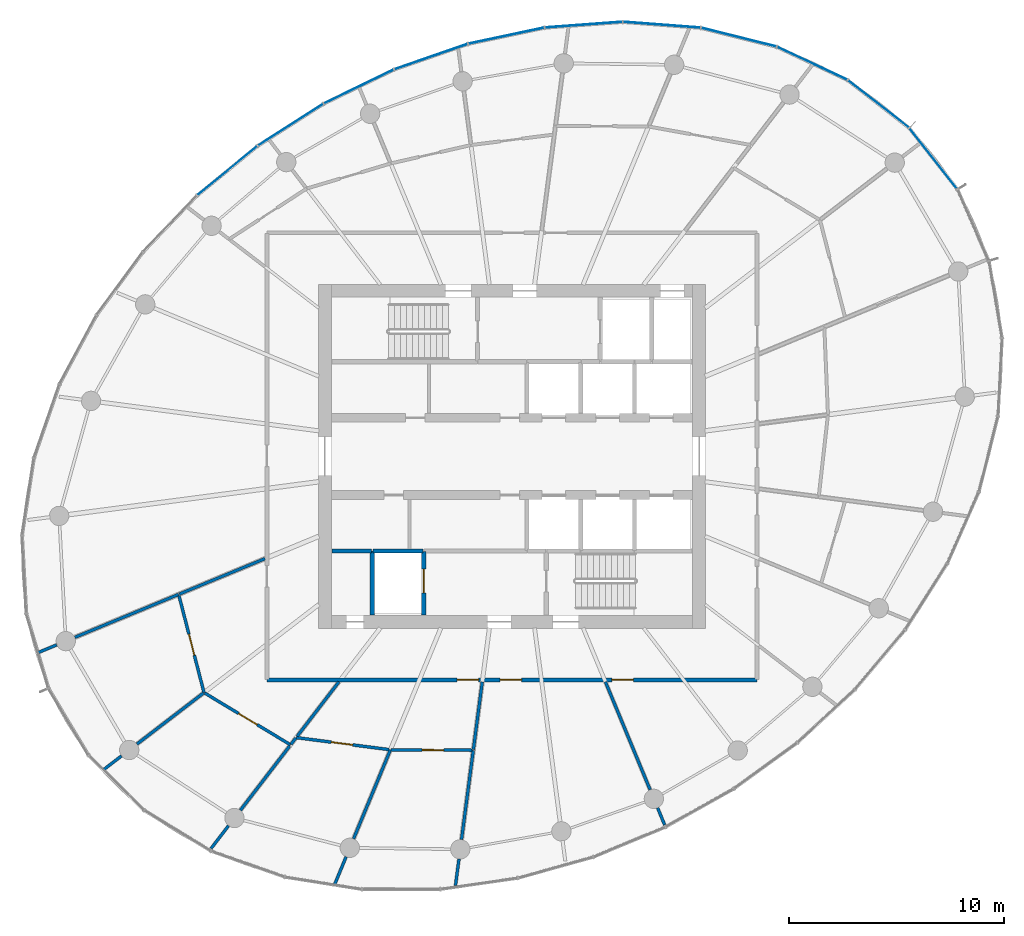
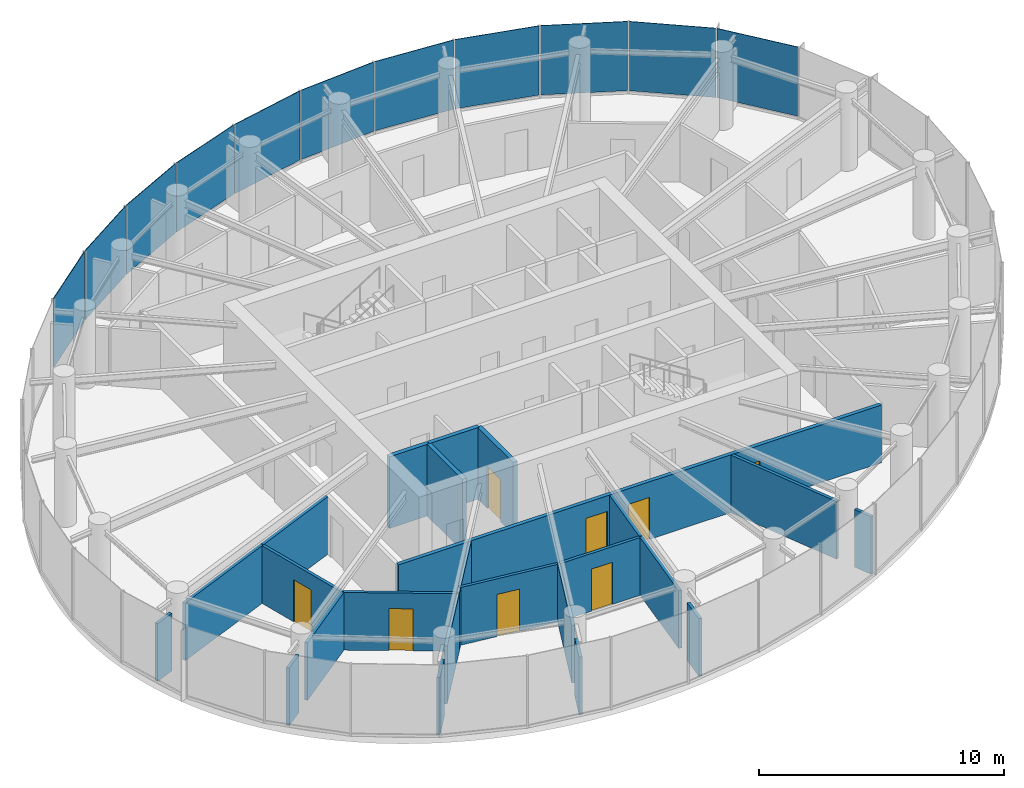
# One storey, part 9 of 14: 25 walls, 11 plates, 8 doors, 8 openings, 2 elements without a shape of their own.
"""IFC4 building model written with IfcOpenShell, lengths in metres."""

from ifc_helpers import new_model, si_unit, direction, frame, frame_2d, origin, origin_2d, place, context, subcontext, project, spatial, rectangle, extrude, source, transform, mapped, material, layer, layer_set, type_object, element, fill, aggregate, save


model = new_model("IFC4")

# Units and contexts
model_context = context("Model", 3, precision=1e-05, world=origin(), true_north=direction((0.0, 1.0)))
body_context = subcontext(model_context, "Body", "Model", "MODEL_VIEW")
ifc_project = project(units=[si_unit("LENGTHUNIT", "METRE"), si_unit("AREAUNIT", "SQUARE_METRE"), si_unit("VOLUMEUNIT", "CUBIC_METRE"), si_unit("PLANEANGLEUNIT", "RADIAN"), si_unit("MASSUNIT", "GRAM", prefix="KILO")], contexts=[model_context])

# Site, building, storey
site_placement = place(None, origin())
site = spatial("IfcSite", under=ifc_project, at=site_placement, CompositionType="ELEMENT")
building_placement = place(site_placement, origin())
building = spatial("IfcBuilding", under=site, at=building_placement, Name="Spindrift Exchange Tower", CompositionType="ELEMENT")
storey_placement = place(building_placement, frame((0.0, 0.0, 207.199951171875)))
storey = spatial("IfcBuildingStorey", under=building, at=storey_placement, Name="L50", CompositionType="ELEMENT", Elevation=207.199951171875)

# Curtain wall, plates
ifc_material_1 = material(Name="Fritted laminated glass with bronze frame", Category="glass")
ifc_layer_1 = layer(ifc_material_1, 0.169921875)
ifc_layer_set_1 = layer_set([ifc_layer_1], Name="ZONE 4 BRONZE FRITTED WALL")
curtain_wall_type = type_object("IfcCurtainWallType", Name="ZONE 4 BRONZE FRITTED WALL", PredefinedType="NOTDEFINED", material=ifc_layer_set_1)
curtain_wall_1_placement = place(storey_placement, origin())
curtain_wall_1 = element("IfcCurtainWall", 1, at=curtain_wall_1_placement, inside=storey, type_object=curtain_wall_type, Name="L50 Zone 4 Bronze Fritted Wall run 2", PredefinedType="NOTDEFINED")
ifc_material_2 = material(Name="Bronze fritted laminated glass, open frit", Category="glass")
ifc_layer_2 = layer(ifc_material_2, 0.030029296875)
ifc_layer_set_2 = layer_set([ifc_layer_2], Name="ZONE 4 BRONZE FRITTED WALL PANEL OPEN FRIT 600")
plate_type_1 = type_object("IfcPlateType", Name="ZONE 4 BRONZE FRITTED WALL PANEL OPEN FRIT 600", PredefinedType="CURTAIN_PANEL", material=ifc_layer_set_2)
shared_shape_1 = source(origin(), body_context, "Body", "SweptSolid", [
    extrude(rectangle(XDim=3.577392578125, YDim=0.030029296875, at=origin_2d()), origin(), (0.0, 0.0, 1.0), 3.455078125),
])
plate_1_placement = place(storey_placement, frame((51.738037109375, 67.561767578125, 0.125), z_axis=(0.0, 0.0, 1.0), x_axis=(-0.978321798596, -0.207090459442, 0.0)))
plate_1 = element("IfcPlate", 2, at=plate_1_placement, type_object=plate_type_1, Name="L50 panel CW-4.7", PredefinedType="CURTAIN_PANEL", context=body_context, shape_type="MappedRepresentation", body=[
    mapped(shared_shape_1, transform((0.0, 0.0, 0.0), scale=1.0)),
])
ifc_layer_3 = layer(ifc_material_2, 0.030029296875)
ifc_layer_set_3 = layer_set([ifc_layer_3], Name="ZONE 4 BRONZE FRITTED WALL PANEL OPEN FRIT 480")
plate_type_2 = type_object("IfcPlateType", Name="ZONE 4 BRONZE FRITTED WALL PANEL OPEN FRIT 480", PredefinedType="CURTAIN_PANEL", material=ifc_layer_set_3)
shared_shape_2 = source(origin(), body_context, "Body", "SweptSolid", [
    extrude(rectangle(XDim=3.577880859375, YDim=0.030029296875, at=origin_2d()), origin(), (0.0, 0.0, 1.0), 3.455078125),
])
plate_2_placement = place(storey_placement, frame((44.8759765625, 65.1962890625, 0.125), z_axis=(0.0, 0.0, 1.0), x_axis=(-0.899437291409, -0.437049835628, 0.0)))
plate_2 = element("IfcPlate", 3, at=plate_2_placement, type_object=plate_type_2, Name="L50 panel CW-4.9", PredefinedType="CURTAIN_PANEL", context=body_context, shape_type="MappedRepresentation", body=[
    mapped(shared_shape_2, transform((0.0, 0.0, 0.0), scale=1.0)),
])
plate_3_placement = place(storey_placement, frame((41.703125, 63.419189453125, 0.125), z_axis=(0.0, 0.0, 1.0), x_axis=(-0.842564278393, -0.538595800927, 0.0)))
plate_3 = element("IfcPlate", 4, at=plate_3_placement, type_object=plate_type_2, Name="L50 panel CW-4.10", PredefinedType="CURTAIN_PANEL", context=body_context, shape_type="MappedRepresentation", body=[
    mapped(shared_shape_2, transform((0.0, 0.0, 0.0), scale=1.0)),
])
shared_shape_3 = source(origin(), body_context, "Body", "SweptSolid", [
    extrude(rectangle(XDim=3.57763671875, YDim=0.030029296875, at=origin_2d()), origin(), (0.0, 0.0, 1.0), 3.455078125),
])
plate_4_placement = place(storey_placement, frame((38.75927734375, 61.284423828125, 0.125), z_axis=(0.0, 0.0, 1.0), x_axis=(-0.773783828295, -0.633449751022, 0.0)))
plate_4 = element("IfcPlate", 5, at=plate_4_placement, type_object=plate_type_2, Name="L50 panel CW-4.11", PredefinedType="CURTAIN_PANEL", context=body_context, shape_type="MappedRepresentation", body=[
    mapped(shared_shape_3, transform((0.0, 0.0, 0.0), scale=1.0)),
])
shared_shape_4 = source(origin(), body_context, "Body", "SweptSolid", [
    extrude(rectangle(XDim=3.57763671875, YDim=0.030029296875, at=origin_2d()), origin(), (0.0, 0.0, 1.0), 3.455078125),
])
plate_5_placement = place(storey_placement, frame((48.2353515625, 66.58837890625, 0.125), z_axis=(0.0, 0.0, 1.0), x_axis=(-0.944914640798, -0.327316852003, 0.0)))
plate_5 = element("IfcPlate", 6, at=plate_5_placement, type_object=plate_type_1, Name="L50 panel CW-4.8", PredefinedType="CURTAIN_PANEL", context=body_context, shape_type="MappedRepresentation", body=[
    mapped(shared_shape_4, transform((0.0, 0.0, 0.0), scale=1.0)),
])
aggregate(curtain_wall_1, [plate_1, plate_5, plate_2, plate_3, plate_4])

curtain_wall_2_placement = place(storey_placement, origin())
curtain_wall_2 = element("IfcCurtainWall", 7, at=curtain_wall_2_placement, inside=storey, type_object=curtain_wall_type, Name="L50 Zone 4 Bronze Fritted Wall run 1", PredefinedType="NOTDEFINED")
shared_shape_5 = source(origin(), body_context, "Body", "SweptSolid", [
    extrude(rectangle(XDim=3.576904296875, YDim=0.030029296875, at=origin_2d()), origin(), (0.0, 0.0, 1.0), 3.455078125),
])
plate_6_placement = place(storey_placement, frame((55.335693359375, 68.072998046875, 0.125), z_axis=(0.0, 0.0, 1.0), x_axis=(-0.997278438525, -0.073727308739, 0.0)))
plate_6 = element("IfcPlate", 8, at=plate_6_placement, type_object=plate_type_2, Name="L50 panel CW-4.6", PredefinedType="CURTAIN_PANEL", context=body_context, shape_type="MappedRepresentation", body=[
    mapped(shared_shape_5, transform((0.0, 0.0, 0.0), scale=1.0)),
])
shared_shape_6 = source(origin(), body_context, "Body", "SweptSolid", [
    extrude(rectangle(XDim=3.574951171875, YDim=0.030029296875, at=origin_2d()), origin(), (0.0, 0.0, 1.0), 3.455078125),
])
plate_7_placement = place(storey_placement, frame((62.548095703125, 67.4912109375, 0.125), z_axis=(0.0, 0.0, 1.0), x_axis=(-0.970178231192, 0.242392656077, 0.0)))
plate_7 = element("IfcPlate", 9, at=plate_7_placement, type_object=plate_type_2, Name="L50 panel CW-4.4", PredefinedType="CURTAIN_PANEL", context=body_context, shape_type="MappedRepresentation", body=[
    mapped(shared_shape_6, transform((0.0, 0.0, 0.0), scale=1.0)),
])
shared_shape_7 = source(origin(), body_context, "Body", "SweptSolid", [
    extrude(rectangle(XDim=3.5703125, YDim=0.030029296875, at=origin_2d()), origin(), (0.0, 0.0, 1.0), 3.455078125),
])
plate_8_placement = place(storey_placement, frame((71.602783203125, 61.844482421875, 0.125), z_axis=(0.0, 0.0, 1.0), x_axis=(-0.618117578279, 0.786085656543, 0.0)))
plate_8 = element("IfcPlate", 10, at=plate_8_placement, type_object=plate_type_2, Name="L50 panel CW-4.1", PredefinedType="CURTAIN_PANEL", context=body_context, shape_type="MappedRepresentation", body=[
    mapped(shared_shape_7, transform((0.0, 0.0, 0.0), scale=1.0)),
])
shared_shape_8 = source(origin(), body_context, "Body", "SweptSolid", [
    extrude(rectangle(XDim=3.571533203125, YDim=0.030029296875, at=origin_2d()), origin(), (0.0, 0.0, 1.0), 3.455078125),
])
plate_9_placement = place(storey_placement, frame((69.043212890625, 64.388427734375, 0.125), z_axis=(0.0, 0.0, 1.0), x_axis=(-0.789809365788, 0.613352399289, 0.0)))
plate_9 = element("IfcPlate", 11, at=plate_9_placement, type_object=plate_type_1, Name="L50 panel CW-4.2", PredefinedType="CURTAIN_PANEL", context=body_context, shape_type="MappedRepresentation", body=[
    mapped(shared_shape_8, transform((0.0, 0.0, 0.0), scale=1.0)),
])
shared_shape_9 = source(origin(), body_context, "Body", "SweptSolid", [
    extrude(rectangle(XDim=3.5732421875, YDim=0.030029296875, at=origin_2d()), origin(), (0.0, 0.0, 1.0), 3.455078125),
])
plate_10_placement = place(storey_placement, frame((65.96044921875, 66.27685546875, 0.125), z_axis=(0.0, 0.0, 1.0), x_axis=(-0.905203462571, 0.424978459864, 0.0)))
plate_10 = element("IfcPlate", 12, at=plate_10_placement, type_object=plate_type_1, Name="L50 panel CW-4.3", PredefinedType="CURTAIN_PANEL", context=body_context, shape_type="MappedRepresentation", body=[
    mapped(shared_shape_9, transform((0.0, 0.0, 0.0), scale=1.0)),
])
shared_shape_10 = source(origin(), body_context, "Body", "SweptSolid", [
    extrude(rectangle(XDim=3.576171875, YDim=0.030029296875, at=origin_2d()), origin(), (0.0, 0.0, 1.0), 3.455078125),
])
plate_11_placement = place(storey_placement, frame((58.966796875, 68.06982421875, 0.125), z_axis=(0.0, 0.0, 1.0), x_axis=(-0.997141651617, 0.075554792105, 0.0)))
plate_11 = element("IfcPlate", 13, at=plate_11_placement, type_object=plate_type_2, Name="L50 panel CW-4.5", PredefinedType="CURTAIN_PANEL", context=body_context, shape_type="MappedRepresentation", body=[
    mapped(shared_shape_10, transform((0.0, 0.0, 0.0), scale=1.0)),
])
aggregate(curtain_wall_2, [plate_8, plate_9, plate_10, plate_7, plate_11, plate_6])

# Wall, openings, doors
ifc_material_3 = material(Name="Fire-rated plasterboard partition", Category="gypsum")
ifc_layer_4 = layer(ifc_material_3, 0.179931640625)
ifc_layer_set_4 = layer_set([ifc_layer_4], Name="W-CORR-180")
wall_type_1 = type_object("IfcWallType", Name="W-CORR-180", PredefinedType="PARTITIONING", material=ifc_layer_set_4)
wall_1_placement = place(storey_placement, frame((63.39990234375, 37.60009765625, 0.0), z_axis=(0.0, 0.0, 1.0), x_axis=(-1.0, 0.0, 0.0)))
wall_1 = element("IfcWall", 14, at=wall_1_placement, inside=storey, type_object=wall_type_1, Name="L50 Partition wall 28", PredefinedType="PARTITIONING", context=body_context, shape_type="SweptSolid", body=[
    extrude(rectangle(XDim=22.7998046875, YDim=0.179931640625, at=frame_2d((11.39990234375, 0.0))), origin(), (0.0, 0.0, 1.0), 2.880126953125),
])
opening_1_placement = place(wall_1_placement, frame((12.949951171875, 0.0, 0.0)))
opening_1 = element("IfcOpeningElement", 15, at=opening_1_placement, cuts=wall_1, Name="Opening L50-D37", PredefinedType="OPENING", context=body_context, shape_type="SweptSolid", body=[
    extrude(rectangle(XDim=1.0, YDim=2.10009765625, at=frame_2d((0.5, 1.050048828125))), frame((0.0, 0.099853515625, 0.0), z_axis=(0.0, -1.0, 0.0), x_axis=(1.0, 0.0, 0.0)), (0.0, 0.0, 1.0), 0.199951171875),
])
opening_2_placement = place(wall_1_placement, frame((10.949951171875, 0.0, 0.0)))
opening_2 = element("IfcOpeningElement", 16, at=opening_2_placement, cuts=wall_1, Name="Opening L50-D40", PredefinedType="OPENING", context=body_context, shape_type="SweptSolid", body=[
    extrude(rectangle(XDim=1.0, YDim=2.10009765625, at=frame_2d((0.5, 1.050048828125))), frame((0.0, 0.099853515625, 0.0), z_axis=(0.0, -1.0, 0.0), x_axis=(1.0, 0.0, 0.0)), (0.0, 0.0, 1.0), 0.199951171875),
])
opening_3_placement = place(wall_1_placement, frame((5.75, 0.0, 0.0)))
opening_3 = element("IfcOpeningElement", 17, at=opening_3_placement, cuts=wall_1, Name="Opening L50-D41", PredefinedType="OPENING", context=body_context, shape_type="SweptSolid", body=[
    extrude(rectangle(XDim=1.0, YDim=2.10009765625, at=frame_2d((0.5, 1.050048828125))), frame((0.0, 0.099853515625, 0.0), z_axis=(0.0, -1.0, 0.0), x_axis=(1.0, 0.0, 0.0)), (0.0, 0.0, 1.0), 0.199951171875),
])
ifc_material_4 = material(Name="Timber-core fire door", Category="wood")
door_type_1 = type_object("IfcDoorType", Name="DR-ROOM-1000", OperationType="NOTDEFINED", PredefinedType="DOOR", material=ifc_material_4)
shared_shape_11 = source(origin(), body_context, "Body", "SweptSolid", [
    extrude(rectangle(XDim=1.0, YDim=2.10009765625, at=frame_2d((0.5, 1.050048828125))), frame((0.0, 0.02490234375, 0.0), z_axis=(0.0, -1.0, 0.0), x_axis=(1.0, 0.0, 0.0)), (0.0, 0.0, 1.0), 0.050048828125),
])
door_1_placement = place(opening_1_placement, origin())
door_1 = element("IfcDoor", 18, at=door_1_placement, inside=storey, type_object=door_type_1, Name="L50 Door 37", OperationType="SINGLE_SWING_RIGHT", OverallHeight=2.10009765625, OverallWidth=1.0, PredefinedType="DOOR", context=body_context, shape_type="MappedRepresentation", body=[
    mapped(shared_shape_11, transform((0.0, 0.0, 0.0), scale=1.0)),
])
fill(opening_1, door_1)
door_2_placement = place(opening_2_placement, origin())
door_2 = element("IfcDoor", 19, at=door_2_placement, inside=storey, type_object=door_type_1, Name="L50 Door 40", OperationType="SINGLE_SWING_LEFT", OverallHeight=2.10009765625, OverallWidth=1.0, PredefinedType="DOOR", context=body_context, shape_type="MappedRepresentation", body=[
    mapped(shared_shape_11, transform((0.0, 0.0, 0.0), scale=1.0)),
])
fill(opening_2, door_2)
door_3_placement = place(opening_3_placement, origin())
door_3 = element("IfcDoor", 20, at=door_3_placement, inside=storey, type_object=door_type_1, Name="L50 Door 41", OperationType="SINGLE_SWING_RIGHT", OverallHeight=2.10009765625, OverallWidth=1.0, PredefinedType="DOOR", context=body_context, shape_type="MappedRepresentation", body=[
    mapped(shared_shape_11, transform((0.0, 0.0, 0.0), scale=1.0)),
])
fill(opening_3, door_3)

# Walls
ifc_layer_5 = layer(ifc_material_3, 0.139892578125)
ifc_layer_set_5 = layer_set([ifc_layer_5], Name="W-PART-140")
wall_type_2 = type_object("IfcWallType", Name="W-PART-140", PredefinedType="PARTITIONING", material=ifc_layer_set_5)
wall_2_placement = place(storey_placement, frame((56.34521484375, 37.510009765625, 0.0), z_axis=(0.0, 0.0, 1.0), x_axis=(0.382655972885, -0.923890906122, 0.0)))
element("IfcWall", 21, at=wall_2_placement, inside=storey, type_object=wall_type_2, Name="L50 Partition wall 33", PredefinedType="PARTITIONING", context=body_context, shape_type="SweptSolid", body=[
    extrude(rectangle(XDim=5.4345703125, YDim=0.139892578125, at=frame_2d((2.71728515625, 0.0))), origin(), (0.0, 0.0, 1.0), 2.880126953125),
])
wall_3_placement = place(storey_placement, frame((36.49658203125, 41.578369140625, 0.0), z_axis=(0.0, 0.0, 1.0), x_axis=(-0.923872241602, -0.382701033703, 0.0)))
element("IfcWall", 22, at=wall_3_placement, inside=storey, type_object=wall_type_2, Name="L50 Partition wall 34", PredefinedType="PARTITIONING", context=body_context, shape_type="SweptSolid", body=[
    extrude(rectangle(XDim=5.227294921875, YDim=0.139892578125, at=frame_2d((2.61376953125, 0.0))), origin(), (0.0, 0.0, 1.0), 2.880126953125),
])

# Wall, opening, door
wall_4_placement = place(storey_placement, frame((37.67578125, 37.008544921875, 0.0), z_axis=(0.0, 0.0, 1.0), x_axis=(-0.249819251726, 0.968292487561, 0.0)))
wall_4 = element("IfcWall", 23, at=wall_4_placement, inside=storey, type_object=wall_type_2, Name="L50 Partition wall 38", PredefinedType="PARTITIONING", context=body_context, shape_type="SweptSolid", body=[
    extrude(rectangle(XDim=4.64892578125, YDim=0.139892578125, at=frame_2d((2.324462890625, 0.0))), origin(), (0.0, 0.0, 1.0), 2.880126953125),
])
opening_4_placement = place(wall_4_placement, frame((1.798583984375, 0.0, 0.0)))
opening_4 = element("IfcOpeningElement", 24, at=opening_4_placement, cuts=wall_4, Name="Opening L50-D35", PredefinedType="OPENING", context=body_context, shape_type="SweptSolid", body=[
    extrude(rectangle(XDim=1.0, YDim=2.10009765625, at=frame_2d((0.5, 1.050048828125))), frame((0.0, 0.079833984375, 0.0), z_axis=(0.0, -1.0, 0.0), x_axis=(1.0, 0.0, 0.0)), (0.0, 0.0, 1.0), 0.159912109375),
])
door_4_placement = place(opening_4_placement, origin())
door_4 = element("IfcDoor", 25, at=door_4_placement, inside=storey, type_object=door_type_1, Name="L50 Door 35", OperationType="SINGLE_SWING_RIGHT", OverallHeight=2.10009765625, OverallWidth=1.0, PredefinedType="DOOR", context=body_context, shape_type="MappedRepresentation", body=[
    mapped(shared_shape_11, transform((0.0, 0.0, 0.0), scale=1.0)),
])
fill(opening_4, door_4)

wall_5_placement = place(storey_placement, frame((41.702392578125, 34.580078125, 0.0), z_axis=(0.0, 0.0, 1.0), x_axis=(-0.856310382511, 0.516461546298, 0.0)))
wall_5 = element("IfcWall", 26, at=wall_5_placement, inside=storey, type_object=wall_type_2, Name="L50 Partition wall 41", PredefinedType="PARTITIONING", context=body_context, shape_type="SweptSolid", body=[
    extrude(rectangle(XDim=4.67236328125, YDim=0.139892578125, at=frame_2d((2.336181640625, 0.0))), origin(), (0.0, 0.0, 1.0), 2.880126953125),
])
opening_5_placement = place(wall_5_placement, frame((1.822509765625, 0.0, 0.0)))
opening_5 = element("IfcOpeningElement", 27, at=opening_5_placement, cuts=wall_5, Name="Opening L50-D36", PredefinedType="OPENING", context=body_context, shape_type="SweptSolid", body=[
    extrude(rectangle(XDim=1.0, YDim=2.10009765625, at=frame_2d((0.5, 1.050048828125))), frame((0.0, 0.079833984375, 0.0), z_axis=(0.0, -1.0, 0.0), x_axis=(1.0, 0.0, 0.0)), (0.0, 0.0, 1.0), 0.159912109375),
])
door_5_placement = place(opening_5_placement, origin())
door_5 = element("IfcDoor", 28, at=door_5_placement, inside=storey, type_object=door_type_1, Name="L50 Door 36", OperationType="SINGLE_SWING_LEFT", OverallHeight=2.10009765625, OverallWidth=1.0, PredefinedType="DOOR", context=body_context, shape_type="MappedRepresentation", body=[
    mapped(shared_shape_11, transform((0.0, 0.0, 0.0), scale=1.0)),
])
fill(opening_5, door_5)

# Walls
wall_6_placement = place(storey_placement, frame((46.345947265625, 34.35009765625, 0.0), z_axis=(0.0, 0.0, 1.0), x_axis=(-0.382683853281, -0.923879358162, 0.0)))
element("IfcWall", 29, at=wall_6_placement, inside=storey, type_object=wall_type_2, Name="L50 Partition wall 42", PredefinedType="PARTITIONING", context=body_context, shape_type="SweptSolid", body=[
    extrude(rectangle(XDim=4.48046875, YDim=0.139892578125, at=frame_2d((2.240234375, 0.0))), origin(), (0.0, 0.0, 1.0), 2.880126953125),
])
wall_7_placement = place(storey_placement, frame((40.510009765625, 43.24072265625, 0.0), z_axis=(0.0, 0.0, 1.0), x_axis=(-0.923880260939, -0.382681673781, 0.0)))
element("IfcWall", 30, at=wall_7_placement, inside=storey, type_object=wall_type_2, Name="L50 Partition wall 43", PredefinedType="PARTITIONING", context=body_context, shape_type="SweptSolid", body=[
    extrude(rectangle(XDim=4.31396484375, YDim=0.139892578125, at=frame_2d((2.156982421875, 0.0))), origin(), (0.0, 0.0, 1.0), 2.880126953125),
])

# Wall, opening, door
wall_8_placement = place(storey_placement, frame((46.274169921875, 34.359375, 0.0), z_axis=(0.0, 0.0, 1.0), x_axis=(-0.991745657541, 0.128220711073, 0.0)))
wall_8 = element("IfcWall", 31, at=wall_8_placement, inside=storey, type_object=wall_type_2, Name="L50 Partition wall 44", PredefinedType="PARTITIONING", context=body_context, shape_type="SweptSolid", body=[
    extrude(rectangle(XDim=4.348876953125, YDim=0.139892578125, at=frame_2d((2.17431640625, 0.0))), origin(), (0.0, 0.0, 1.0), 2.880126953125),
])
opening_6_placement = place(wall_8_placement, frame((1.698974609375, 0.0, 0.0)))
opening_6 = element("IfcOpeningElement", 32, at=opening_6_placement, cuts=wall_8, Name="Opening L50-D38", PredefinedType="OPENING", context=body_context, shape_type="SweptSolid", body=[
    extrude(rectangle(XDim=1.0, YDim=2.10009765625, at=frame_2d((0.5, 1.050048828125))), frame((0.0, 0.079833984375, 0.0), z_axis=(0.0, -1.0, 0.0), x_axis=(1.0, 0.0, 0.0)), (0.0, 0.0, 1.0), 0.159912109375),
])
door_6_placement = place(opening_6_placement, origin())
door_6 = element("IfcDoor", 33, at=door_6_placement, inside=storey, type_object=door_type_1, Name="L50 Door 38", OperationType="SINGLE_SWING_LEFT", OverallHeight=2.10009765625, OverallWidth=1.0, PredefinedType="DOOR", context=body_context, shape_type="MappedRepresentation", body=[
    mapped(shared_shape_11, transform((0.0, 0.0, 0.0), scale=1.0)),
])
fill(opening_6, door_6)

# Walls
wall_9_placement = place(storey_placement, frame((50.199951171875, 34.327880859375, 0.0), z_axis=(0.0, 0.0, 1.0), x_axis=(-0.130534370564, -0.99144378464, 0.0)))
element("IfcWall", 34, at=wall_9_placement, inside=storey, type_object=wall_type_2, Name="L50 Partition wall 47", PredefinedType="PARTITIONING", context=body_context, shape_type="SweptSolid", body=[
    extrude(rectangle(XDim=4.19140625, YDim=0.139892578125, at=frame_2d((2.095703125, 0.0))), origin(), (0.0, 0.0, 1.0), 2.880126953125),
])
wall_10_placement = place(storey_placement, frame((37.652099609375, 36.990478515625, 0.0), z_axis=(0.0, 0.0, 1.0), x_axis=(-0.793347300472, -0.608769300173, 0.0)))
element("IfcWall", 35, at=wall_10_placement, inside=storey, type_object=wall_type_2, Name="L50 Partition wall 51", PredefinedType="PARTITIONING", context=body_context, shape_type="SweptSolid", body=[
    extrude(rectangle(XDim=3.8994140625, YDim=0.139892578125, at=frame_2d((1.94970703125, 0.0))), origin(), (0.0, 0.0, 1.0), 2.880126953125),
])

# Wall, opening, door
wall_11_placement = place(storey_placement, frame((50.12939453125, 34.328125, 0.0), z_axis=(0.0, 0.0, 1.0), x_axis=(-0.999983244193, 0.005788897407, 0.0)))
wall_11 = element("IfcWall", 36, at=wall_11_placement, inside=storey, type_object=wall_type_2, Name="L50 Partition wall 54", PredefinedType="PARTITIONING", context=body_context, shape_type="SweptSolid", body=[
    extrude(rectangle(XDim=3.75341796875, YDim=0.139892578125, at=frame_2d((1.876708984375, 0.0))), origin(), (0.0, 0.0, 1.0), 2.880126953125),
])
opening_7_placement = place(wall_11_placement, frame((1.303466796875, 0.0, 0.0)))
opening_7 = element("IfcOpeningElement", 37, at=opening_7_placement, cuts=wall_11, Name="Opening L50-D39", PredefinedType="OPENING", context=body_context, shape_type="SweptSolid", body=[
    extrude(rectangle(XDim=1.0, YDim=2.10009765625, at=frame_2d((0.5, 1.050048828125))), frame((0.0, 0.079833984375, 0.0), z_axis=(0.0, -1.0, 0.0), x_axis=(1.0, 0.0, 0.0)), (0.0, 0.0, 1.0), 0.159912109375),
])
door_7_placement = place(opening_7_placement, origin())
door_7 = element("IfcDoor", 38, at=door_7_placement, inside=storey, type_object=door_type_1, Name="L50 Door 39", OperationType="SINGLE_SWING_RIGHT", OverallHeight=2.10009765625, OverallWidth=1.0, PredefinedType="DOOR", context=body_context, shape_type="MappedRepresentation", body=[
    mapped(shared_shape_11, transform((0.0, 0.0, 0.0), scale=1.0)),
])
fill(opening_7, door_7)

# Walls
wall_12_placement = place(storey_placement, frame((41.65966796875, 34.524169921875, 0.0), z_axis=(0.0, 0.0, 1.0), x_axis=(-0.60877322383, -0.793344289667, 0.0)))
element("IfcWall", 39, at=wall_12_placement, inside=storey, type_object=wall_type_2, Name="L50 Partition wall 56", PredefinedType="PARTITIONING", context=body_context, shape_type="SweptSolid", body=[
    extrude(rectangle(XDim=3.7646484375, YDim=0.139892578125, at=frame_2d((1.88232421875, 0.0))), origin(), (0.0, 0.0, 1.0), 2.880126953125),
])
wall_13_placement = place(storey_placement, frame((41.94287109375, 34.893310546875, 0.0), z_axis=(0.0, 0.0, 1.0), x_axis=(-0.608740457709, -0.793369431695, 0.0)))
element("IfcWall", 40, at=wall_13_placement, inside=storey, type_object=wall_type_2, Name="L50 Partition wall 58", PredefinedType="PARTITIONING", context=body_context, shape_type="SweptSolid", body=[
    extrude(rectangle(XDim=0.364990234375, YDim=0.139892578125, at=frame_2d((0.1826171875, 0.0))), origin(), (0.0, 0.0, 1.0), 2.880126953125),
])
wall_14_placement = place(storey_placement, frame((43.95068359375, 37.510009765625, 0.0), z_axis=(0.0, 0.0, 1.0), x_axis=(-0.60871452172, -0.793389331317, 0.0)))
element("IfcWall", 41, at=wall_14_placement, inside=storey, type_object=wall_type_2, Name="L50 Partition wall 59", PredefinedType="PARTITIONING", context=body_context, shape_type="SweptSolid", body=[
    extrude(rectangle(XDim=3.187255859375, YDim=0.139892578125, at=frame_2d((1.59375, 0.0))), origin(), (0.0, 0.0, 1.0), 2.880126953125),
])
wall_15_placement = place(storey_placement, frame((50.618896484375, 37.510009765625, 0.0), z_axis=(0.0, 0.0, 1.0), x_axis=(-0.130524026108, -0.991445146546, 0.0)))
element("IfcWall", 42, at=wall_15_placement, inside=storey, type_object=wall_type_2, Name="L50 Partition wall 64", PredefinedType="PARTITIONING", context=body_context, shape_type="SweptSolid", body=[
    extrude(rectangle(XDim=3.1796875, YDim=0.139892578125, at=frame_2d((1.58984375, 0.0))), origin(), (0.0, 0.0, 1.0), 2.880126953125),
])
wall_16_placement = place(storey_placement, frame((44.283203125, 29.369873046875, 0.0), z_axis=(0.0, 0.0, 1.0), x_axis=(-0.382733825207, -0.923858657502, 0.0)))
element("IfcWall", 43, at=wall_16_placement, inside=storey, type_object=wall_type_2, Name="L50 Partition wall 76", PredefinedType="PARTITIONING", context=body_context, shape_type="SweptSolid", body=[
    extrude(rectangle(XDim=1.373291015625, YDim=0.139892578125, at=frame_2d((0.6865234375, 0.0))), origin(), (0.0, 0.0, 1.0), 2.880126953125),
])
wall_17_placement = place(storey_placement, frame((38.814453125, 30.81640625, 0.0), z_axis=(0.0, 0.0, 1.0), x_axis=(-0.608692849826, -0.79340595824, 0.0)))
element("IfcWall", 44, at=wall_17_placement, inside=storey, type_object=wall_type_2, Name="L50 Partition wall 77", PredefinedType="PARTITIONING", context=body_context, shape_type="SweptSolid", body=[
    extrude(rectangle(XDim=1.333740234375, YDim=0.139892578125, at=frame_2d((0.6669921875, 0.0))), origin(), (0.0, 0.0, 1.0), 2.880126953125),
])
wall_18_placement = place(storey_placement, frame((49.5341796875, 29.27099609375, 0.0), z_axis=(0.0, 0.0, 1.0), x_axis=(-0.130520415919, -0.991445621821, 0.0)))
element("IfcWall", 45, at=wall_18_placement, inside=storey, type_object=wall_type_2, Name="L50 Partition wall 79", PredefinedType="PARTITIONING", context=body_context, shape_type="SweptSolid", body=[
    extrude(rectangle(XDim=1.245849609375, YDim=0.139892578125, at=frame_2d((0.623046875, 0.0))), origin(), (0.0, 0.0, 1.0), 2.880126953125),
])
wall_19_placement = place(storey_placement, frame((33.83740234375, 34.063232421875, 0.0), z_axis=(0.0, 0.0, 1.0), x_axis=(-0.793403619358, -0.608695898449, 0.0)))
element("IfcWall", 46, at=wall_19_placement, inside=storey, type_object=wall_type_2, Name="L50 Partition wall 86", PredefinedType="PARTITIONING", context=body_context, shape_type="SweptSolid", body=[
    extrude(rectangle(XDim=1.046875, YDim=0.139892578125, at=frame_2d((0.5234375, 0.0))), origin(), (0.0, 0.0, 1.0), 2.880126953125),
])
wall_20_placement = place(storey_placement, frame((30.826416015625, 39.229736328125, 0.0), z_axis=(0.0, 0.0, 1.0), x_axis=(-0.923779659408, -0.38292445843, 0.0)))
element("IfcWall", 47, at=wall_20_placement, inside=storey, type_object=wall_type_2, Name="L50 Partition wall 87", PredefinedType="PARTITIONING", context=body_context, shape_type="SweptSolid", body=[
    extrude(rectangle(XDim=0.953857421875, YDim=0.139892578125, at=frame_2d((0.47705078125, 0.0))), origin(), (0.0, 0.0, 1.0), 2.880126953125),
])
wall_21_placement = place(storey_placement, frame((58.773193359375, 31.648193359375, 0.0), z_axis=(0.0, 0.0, 1.0), x_axis=(0.382754217383, -0.92385020922, 0.0)))
element("IfcWall", 48, at=wall_21_placement, inside=storey, type_object=wall_type_2, Name="L50 Partition wall 92", PredefinedType="PARTITIONING", context=body_context, shape_type="SweptSolid", body=[
    extrude(rectangle(XDim=0.857177734375, YDim=0.139892578125, at=frame_2d((0.4287109375, 0.0))), origin(), (0.0, 0.0, 1.0), 2.880126953125),
])
ifc_material_5 = material(Name="Concrete 40 MPa", Category="concrete")
ifc_layer_6 = layer(ifc_material_5, 0.199951171875)
ifc_layer_set_6 = layer_set([ifc_layer_6], Name="W-SHAFT-200")
wall_type_3 = type_object("IfcWallType", Name="W-SHAFT-200", PredefinedType="SOLIDWALL", material=ifc_layer_set_6)
wall_22_placement = place(storey_placement, frame((45.5, 43.60009765625, 0.0), z_axis=(0.0, 0.0, 1.0), x_axis=(0.0, -1.0, 0.0)))
element("IfcWall", 49, at=wall_22_placement, inside=storey, type_object=wall_type_3, Name="L50 Shaft wall 3", PredefinedType="SOLIDWALL", context=body_context, shape_type="SweptSolid", body=[
    extrude(rectangle(XDim=2.97998046875, YDim=0.199951171875, at=frame_2d((1.489990234375, 0.0))), origin(), (0.0, 0.0, 1.0), 3.580078125),
])

# Wall, opening, door
wall_23_placement = place(storey_placement, frame((47.89990234375, 40.6201171875, 0.0), z_axis=(0.0, 0.0, 1.0), x_axis=(0.0, 1.0, 0.0)))
wall_23 = element("IfcWall", 50, at=wall_23_placement, inside=storey, type_object=wall_type_3, Name="L50 Shaft wall 4", PredefinedType="SOLIDWALL", context=body_context, shape_type="SweptSolid", body=[
    extrude(rectangle(XDim=2.949951171875, YDim=0.199951171875, at=frame_2d((1.47509765625, 0.0))), origin(), (0.0, 0.0, 1.0), 3.580078125),
])
opening_8_placement = place(wall_23_placement, frame((1.030029296875, 0.0, 0.0)))
opening_8 = element("IfcOpeningElement", 51, at=opening_8_placement, cuts=wall_23, Name="Opening L50-D10", PredefinedType="OPENING", context=body_context, shape_type="SweptSolid", body=[
    extrude(rectangle(XDim=1.10009765625, YDim=2.10009765625, at=frame_2d((0.550048828125, 1.050048828125))), frame((0.0, 0.10986328125, 0.0), z_axis=(0.0, -1.0, 0.0), x_axis=(1.0, 0.0, 0.0)), (0.0, 0.0, 1.0), 0.219970703125),
])
ifc_material_6 = material(Name="Stainless steel landing door", Category="steel")
door_type_2 = type_object("IfcDoorType", Name="DR-LANDING-1100-SL", OperationType="DOUBLE_DOOR_SLIDING", PredefinedType="USERDEFINED", material=ifc_material_6)
shared_shape_12 = source(origin(), body_context, "Body", "SweptSolid", [
    extrude(rectangle(XDim=1.10009765625, YDim=2.10009765625, at=frame_2d((0.550048828125, 1.050048828125))), frame((0.0, 0.02490234375, 0.0), z_axis=(0.0, -1.0, 0.0), x_axis=(1.0, 0.0, 0.0)), (0.0, 0.0, 1.0), 0.050048828125),
])
door_8_placement = place(opening_8_placement, origin())
door_8 = element("IfcDoor", 52, at=door_8_placement, inside=storey, type_object=door_type_2, Name="L50 Lift landing door 10", ObjectType="LANDING DOOR", OperationType="DOUBLE_DOOR_SLIDING", OverallHeight=2.10009765625, OverallWidth=1.10009765625, PredefinedType="USERDEFINED", context=body_context, shape_type="MappedRepresentation", body=[
    mapped(shared_shape_12, transform((0.0, 0.0, 0.0), scale=1.0)),
])
fill(opening_8, door_8)

# Walls
wall_24_placement = place(storey_placement, frame((47.8701171875, 43.60009765625, 0.0), z_axis=(0.0, 0.0, 1.0), x_axis=(-1.0, 0.0, 0.0)))
element("IfcWall", 53, at=wall_24_placement, inside=storey, type_object=wall_type_3, Name="L50 Shaft wall 12", PredefinedType="SOLIDWALL", context=body_context, shape_type="SweptSolid", body=[
    extrude(rectangle(XDim=2.340087890625, YDim=0.199951171875, at=frame_2d((1.169921875, 0.0))), origin(), (0.0, 0.0, 1.0), 3.580078125),
])
wall_25_placement = place(storey_placement, frame((45.469970703125, 43.60009765625, 0.0), z_axis=(0.0, 0.0, 1.0), x_axis=(-1.0, 0.0, 0.0)))
element("IfcWall", 54, at=wall_25_placement, inside=storey, type_object=wall_type_3, Name="L50 Shaft wall 20", PredefinedType="SOLIDWALL", context=body_context, shape_type="SweptSolid", body=[
    extrude(rectangle(XDim=1.849853515625, YDim=0.199951171875, at=frame_2d((0.9248046875, 0.0))), origin(), (0.0, 0.0, 1.0), 3.580078125),
])

save(model, "model.ifc")
